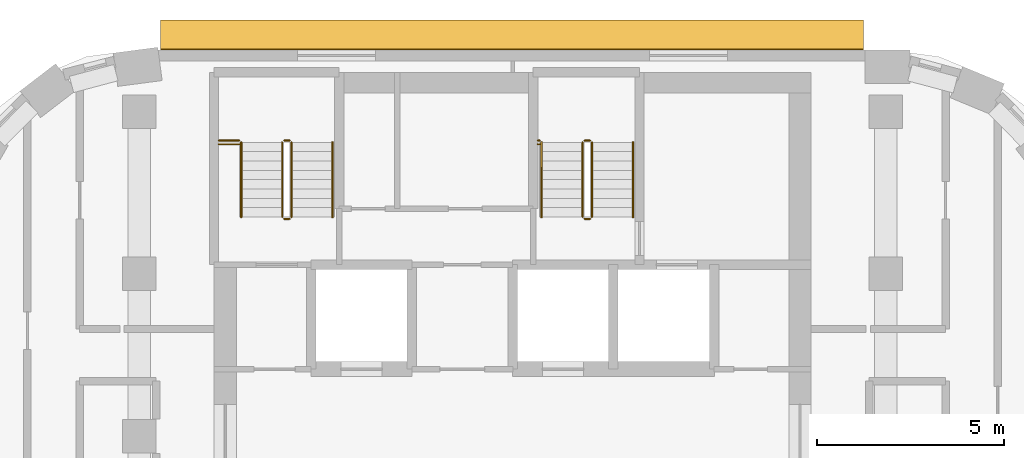
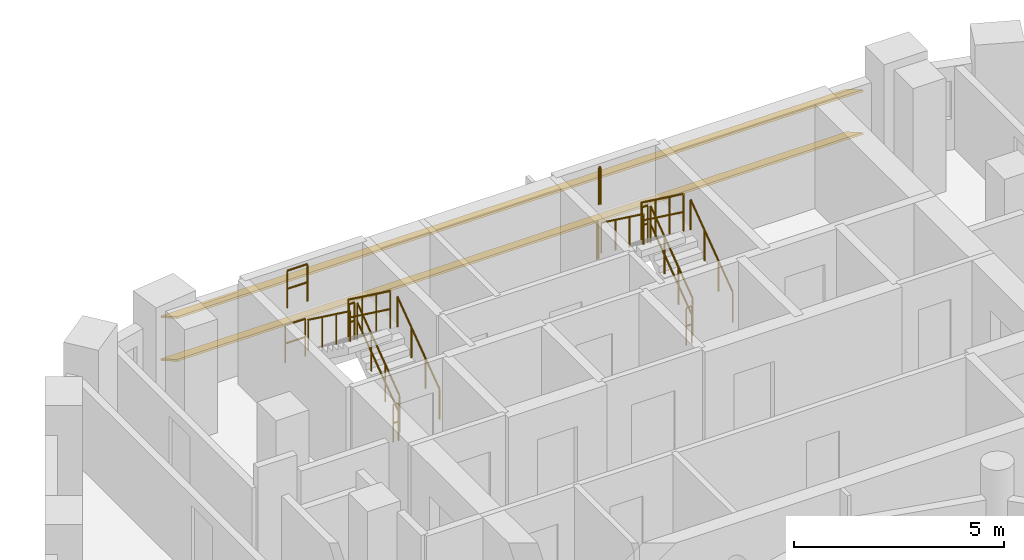
# One storey, part 15 of 15: 16 railings, 2 shading devices.
"""IFC4 building model written with IfcOpenShell, lengths in metres."""

from ifc_helpers import new_model, si_unit, direction, frame, origin, origin_2d, place, context, subcontext, project, spatial, rectangle, circle, extrude, material, material_profile, profile_set, type_object, element, save


model = new_model("IFC4")

# Units and contexts
model_context = context("Model", 3, precision=1e-05, world=origin(), true_north=direction((0.0, 1.0)))
body_context = subcontext(model_context, "Body", "Model", "MODEL_VIEW")
ifc_project = project(units=[si_unit("LENGTHUNIT", "METRE"), si_unit("AREAUNIT", "SQUARE_METRE"), si_unit("VOLUMEUNIT", "CUBIC_METRE"), si_unit("PLANEANGLEUNIT", "RADIAN"), si_unit("MASSUNIT", "GRAM", prefix="KILO")], contexts=[model_context])

# Site, building, storey
site_placement = place(None, origin())
site = spatial("IfcSite", under=ifc_project, at=site_placement, CompositionType="ELEMENT")
building_placement = place(site_placement, origin())
building = spatial("IfcBuilding", under=site, at=building_placement, Name="Nakaniwa Court", CompositionType="ELEMENT")
storey_placement = place(building_placement, frame((0.0, 0.0, 183.300048828125)))
storey = spatial("IfcBuildingStorey", under=building, at=storey_placement, Name="L47", CompositionType="ELEMENT", Elevation=183.300048828125)

# Shading devices
ifc_material_1 = material(Name="Perforated charcoal ceramic louvre blade")
ifc_material_profile = material_profile(ifc_material_1, rectangle(XDim=0.89990234375, YDim=0.050048828125, at=origin_2d()), Name="Perforated ceramic louvre blade")
ifc_profile_set = profile_set([ifc_material_profile], Name="Perforated charcoal ceramic louvre blade")
shading_device_type = type_object("IfcShadingDeviceType", Name="Perforated ceramic louvre blade", PredefinedType="JALOUSIE", material=ifc_profile_set)
for number, where, z_axis, x_axis, name in (
    (1, (89.3994140625, 103.05224609375, 0.550048828125), (-1.0, 0.0, 0.0), (0.0, -0.866025403784, 0.5), "L47 perforated ceramic louvre blade w08 1"),
    (2, (89.3994140625, 103.05224609375, 1.793212890625), (-1.0, 0.0, 0.0), (0.0, -0.866025403784, 0.5), "L47 perforated ceramic louvre blade w08 2"),
):
    element("IfcShadingDevice", number, at=place(storey_placement, frame(where, z_axis=z_axis, x_axis=x_axis)), inside=storey, type_object=shading_device_type, Name=name, PredefinedType="JALOUSIE", context=body_context, shape_type="SweptSolid", body=[
        extrude(rectangle(XDim=0.89990234375, YDim=0.050048828125, at=origin_2d()), origin(), (0.0, 0.0, 1.0), 18.8330078125),
    ])

# Railings
ifc_material_2 = material(Name="Black powder coated steel guard", Category="steel")
railing_type_1 = type_object("IfcRailingType", Name="Stair guard 1100", PredefinedType="GUARDRAIL", material=ifc_material_2)
railing_1_placement = place(storey_placement, frame((74.074951171875, 98.175048828125, 0.183349609375)))
element("IfcRailing", 3, at=railing_1_placement, inside=storey, type_object=railing_type_1, Name="L47 ST1 stair guard 1", PredefinedType="GUARDRAIL", context=body_context, shape_type="SweptSolid", body=[
    extrude(circle(Radius=0.02392578125, at=origin_2d()), frame((0.0, 0.0, 1.076171875), z_axis=(0.0, 0.806426902644, 0.591333789573), x_axis=(-1.0, 0.0, 0.0)), (0.0, 0.0, 1.0), 2.47998046875),
    extrude(circle(Radius=0.02392578125, at=origin_2d()), frame((0.0, 0.0, 0.550048828125), z_axis=(0.0, 0.806426902644, 0.591333789573), x_axis=(-1.0, 0.0, 0.0)), (0.0, 0.0, 1.0), 2.47998046875),
    extrude(circle(Radius=0.02099609375, at=origin_2d()), origin(), (0.0, 0.0, 1.0), 1.052001953125),
    extrude(circle(Radius=0.02099609375, at=origin_2d()), frame((0.0, 0.666748046875, 0.48876953125)), (0.0, 0.0, 1.0), 1.052001953125),
    extrude(circle(Radius=0.02099609375, at=origin_2d()), frame((0.0, 1.333251953125, 0.977783203125)), (0.0, 0.0, 1.0), 1.052001953125),
    extrude(circle(Radius=0.02099609375, at=origin_2d()), frame((0.0, 2.0, 1.466552734375)), (0.0, 0.0, 1.0), 1.052001953125),
])
railing_2_placement = place(storey_placement, frame((74.02490234375, 100.22509765625, 1.64990234375)))
element("IfcRailing", 4, at=railing_2_placement, inside=storey, type_object=railing_type_1, Name="L47 ST1 stair guard 2", PredefinedType="GUARDRAIL", context=body_context, shape_type="SweptSolid", body=[
    extrude(circle(Radius=0.02392578125, at=origin_2d()), frame((0.0, 0.0, 1.076171875), z_axis=(-1.0, 0.0, 0.0), x_axis=(0.0, -1.0, 0.0)), (0.0, 0.0, 1.0), 0.14990234375),
    extrude(circle(Radius=0.02392578125, at=origin_2d()), frame((0.0, 0.0, 0.550048828125), z_axis=(-1.0, 0.0, 0.0), x_axis=(0.0, -1.0, 0.0)), (0.0, 0.0, 1.0), 0.14990234375),
    extrude(circle(Radius=0.02099609375, at=origin_2d()), origin(), (0.0, 0.0, 1.0), 1.052001953125),
    extrude(circle(Radius=0.02099609375, at=origin_2d()), frame((-0.14990234375, 0.0, 0.0)), (0.0, 0.0, 1.0), 1.052001953125),
])
railing_3_placement = place(storey_placement, frame((73.824951171875, 100.175048828125, 1.833251953125)))
element("IfcRailing", 5, at=railing_3_placement, inside=storey, type_object=railing_type_1, Name="L47 ST1 stair guard 3", PredefinedType="GUARDRAIL", context=body_context, shape_type="SweptSolid", body=[
    extrude(circle(Radius=0.02392578125, at=origin_2d()), frame((0.0, 0.0, 1.076171875), z_axis=(0.0, -0.806379959628, 0.591397802423), x_axis=(1.0, 0.0, 0.0)), (0.0, 0.0, 1.0), 2.480224609375),
    extrude(circle(Radius=0.02392578125, at=origin_2d()), frame((0.0, 0.0, 0.550048828125), z_axis=(0.0, -0.806379959628, 0.591397802423), x_axis=(1.0, 0.0, 0.0)), (0.0, 0.0, 1.0), 2.480224609375),
    extrude(circle(Radius=0.02099609375, at=origin_2d()), origin(), (0.0, 0.0, 1.0), 1.052001953125),
    extrude(circle(Radius=0.02099609375, at=origin_2d()), frame((0.0, -0.666748046875, 0.489013671875)), (0.0, 0.0, 1.0), 1.052001953125),
    extrude(circle(Radius=0.02099609375, at=origin_2d()), frame((0.0, -1.333251953125, 0.977783203125)), (0.0, 0.0, 1.0), 1.052001953125),
    extrude(circle(Radius=0.02099609375, at=origin_2d()), frame((0.0, -2.0, 1.466796875)), (0.0, 0.0, 1.0), 1.052001953125),
])
railing_4_placement = place(storey_placement, frame((74.02490234375, 98.125, 0.0)))
element("IfcRailing", 6, at=railing_4_placement, inside=storey, type_object=railing_type_1, Name="L47 ST1 stair guard 4", PredefinedType="GUARDRAIL", context=body_context, shape_type="SweptSolid", body=[
    extrude(circle(Radius=0.02392578125, at=origin_2d()), frame((0.0, 0.0, 1.076171875), z_axis=(-1.0, 0.0, 0.0), x_axis=(0.0, -1.0, 0.0)), (0.0, 0.0, 1.0), 0.14990234375),
    extrude(circle(Radius=0.02392578125, at=origin_2d()), frame((0.0, 0.0, 0.550048828125), z_axis=(-1.0, 0.0, 0.0), x_axis=(0.0, -1.0, 0.0)), (0.0, 0.0, 1.0), 0.14990234375),
    extrude(circle(Radius=0.02099609375, at=origin_2d()), origin(), (0.0, 0.0, 1.0), 1.052001953125),
    extrude(circle(Radius=0.02099609375, at=origin_2d()), frame((-0.14990234375, 0.0, 0.0)), (0.0, 0.0, 1.0), 1.052001953125),
])
for number, where, name in (
    (7, (72.125, 100.22509765625, 1.64990234375), "L47 ST1 landing side guard 1W"),
    (8, (72.125, 100.125, 3.300048828125), "L47 ST1 floor edge guard 1W"),
):
    element("IfcRailing", number, at=place(storey_placement, frame(where)), inside=storey, type_object=railing_type_1, Name=name, PredefinedType="GUARDRAIL", context=body_context, shape_type="SweptSolid", body=[
        extrude(circle(Radius=0.02392578125, at=origin_2d()), frame((0.0, 0.0, 1.076171875), z_axis=(1.0, 0.0, 0.0), x_axis=(0.0, 1.0, 0.0)), (0.0, 0.0, 1.0), 0.550048828125),
        extrude(circle(Radius=0.02392578125, at=origin_2d()), frame((0.0, 0.0, 0.550048828125), z_axis=(1.0, 0.0, 0.0), x_axis=(0.0, 1.0, 0.0)), (0.0, 0.0, 1.0), 0.550048828125),
        extrude(circle(Radius=0.02099609375, at=origin_2d()), origin(), (0.0, 0.0, 1.0), 1.052001953125),
        extrude(circle(Radius=0.02099609375, at=origin_2d()), frame((0.550048828125, 0.0, 0.0)), (0.0, 0.0, 1.0), 1.052001953125),
    ])
railing_5_placement = place(storey_placement, frame((82.125, 98.175048828125, 0.183349609375)))
element("IfcRailing", 9, at=railing_5_placement, inside=storey, type_object=railing_type_1, Name="L47 ST2 stair guard 1", PredefinedType="GUARDRAIL", context=body_context, shape_type="SweptSolid", body=[
    extrude(circle(Radius=0.02392578125, at=origin_2d()), frame((0.0, 0.0, 1.076171875), z_axis=(0.0, 0.806426902644, 0.591333789573), x_axis=(-1.0, 0.0, 0.0)), (0.0, 0.0, 1.0), 2.47998046875),
    extrude(circle(Radius=0.02392578125, at=origin_2d()), frame((0.0, 0.0, 0.550048828125), z_axis=(0.0, 0.806426902644, 0.591333789573), x_axis=(-1.0, 0.0, 0.0)), (0.0, 0.0, 1.0), 2.47998046875),
    extrude(circle(Radius=0.02099609375, at=origin_2d()), origin(), (0.0, 0.0, 1.0), 1.052001953125),
    extrude(circle(Radius=0.02099609375, at=origin_2d()), frame((0.0, 0.666748046875, 0.48876953125)), (0.0, 0.0, 1.0), 1.052001953125),
    extrude(circle(Radius=0.02099609375, at=origin_2d()), frame((0.0, 1.333251953125, 0.977783203125)), (0.0, 0.0, 1.0), 1.052001953125),
    extrude(circle(Radius=0.02099609375, at=origin_2d()), frame((0.0, 2.0, 1.466552734375)), (0.0, 0.0, 1.0), 1.052001953125),
])
railing_6_placement = place(storey_placement, frame((82.074951171875, 100.22509765625, 1.64990234375)))
element("IfcRailing", 10, at=railing_6_placement, inside=storey, type_object=railing_type_1, Name="L47 ST2 stair guard 2", PredefinedType="GUARDRAIL", context=body_context, shape_type="SweptSolid", body=[
    extrude(circle(Radius=0.02392578125, at=origin_2d()), frame((0.0, 0.0, 1.076171875), z_axis=(-1.0, 0.0, 0.0), x_axis=(0.0, -1.0, 0.0)), (0.0, 0.0, 1.0), 0.14990234375),
    extrude(circle(Radius=0.02392578125, at=origin_2d()), frame((0.0, 0.0, 0.550048828125), z_axis=(-1.0, 0.0, 0.0), x_axis=(0.0, -1.0, 0.0)), (0.0, 0.0, 1.0), 0.14990234375),
    extrude(circle(Radius=0.02099609375, at=origin_2d()), origin(), (0.0, 0.0, 1.0), 1.052001953125),
    extrude(circle(Radius=0.02099609375, at=origin_2d()), frame((-0.14990234375, 0.0, 0.0)), (0.0, 0.0, 1.0), 1.052001953125),
])
railing_7_placement = place(storey_placement, frame((81.875, 100.175048828125, 1.833251953125)))
element("IfcRailing", 11, at=railing_7_placement, inside=storey, type_object=railing_type_1, Name="L47 ST2 stair guard 3", PredefinedType="GUARDRAIL", context=body_context, shape_type="SweptSolid", body=[
    extrude(circle(Radius=0.02392578125, at=origin_2d()), frame((0.0, 0.0, 1.076171875), z_axis=(0.0, -0.806379959628, 0.591397802423), x_axis=(1.0, 0.0, 0.0)), (0.0, 0.0, 1.0), 2.480224609375),
    extrude(circle(Radius=0.02392578125, at=origin_2d()), frame((0.0, 0.0, 0.550048828125), z_axis=(0.0, -0.806379959628, 0.591397802423), x_axis=(1.0, 0.0, 0.0)), (0.0, 0.0, 1.0), 2.480224609375),
    extrude(circle(Radius=0.02099609375, at=origin_2d()), origin(), (0.0, 0.0, 1.0), 1.052001953125),
    extrude(circle(Radius=0.02099609375, at=origin_2d()), frame((0.0, -0.666748046875, 0.489013671875)), (0.0, 0.0, 1.0), 1.052001953125),
    extrude(circle(Radius=0.02099609375, at=origin_2d()), frame((0.0, -1.333251953125, 0.977783203125)), (0.0, 0.0, 1.0), 1.052001953125),
    extrude(circle(Radius=0.02099609375, at=origin_2d()), frame((0.0, -2.0, 1.466796875)), (0.0, 0.0, 1.0), 1.052001953125),
])
railing_8_placement = place(storey_placement, frame((82.074951171875, 98.125, 0.0)))
element("IfcRailing", 12, at=railing_8_placement, inside=storey, type_object=railing_type_1, Name="L47 ST2 stair guard 4", PredefinedType="GUARDRAIL", context=body_context, shape_type="SweptSolid", body=[
    extrude(circle(Radius=0.02392578125, at=origin_2d()), frame((0.0, 0.0, 1.076171875), z_axis=(-1.0, 0.0, 0.0), x_axis=(0.0, -1.0, 0.0)), (0.0, 0.0, 1.0), 0.14990234375),
    extrude(circle(Radius=0.02392578125, at=origin_2d()), frame((0.0, 0.0, 0.550048828125), z_axis=(-1.0, 0.0, 0.0), x_axis=(0.0, -1.0, 0.0)), (0.0, 0.0, 1.0), 0.14990234375),
    extrude(circle(Radius=0.02099609375, at=origin_2d()), origin(), (0.0, 0.0, 1.0), 1.052001953125),
    extrude(circle(Radius=0.02099609375, at=origin_2d()), frame((-0.14990234375, 0.0, 0.0)), (0.0, 0.0, 1.0), 1.052001953125),
])
for number, where, name in (
    (13, (80.675048828125, 100.22509765625, 1.64990234375), "L47 ST2 landing side guard 1W"),
    (14, (80.675048828125, 100.125, 3.300048828125), "L47 ST2 floor edge guard 1W"),
):
    element("IfcRailing", number, at=place(storey_placement, frame(where)), inside=storey, type_object=railing_type_1, Name=name, PredefinedType="GUARDRAIL", context=body_context, shape_type="SweptSolid", body=[
        extrude(circle(Radius=0.02392578125, at=origin_2d()), frame((0.0, 0.0, 1.076171875), z_axis=(1.0, 0.0, 0.0), x_axis=(0.0, 1.0, 0.0)), (0.0, 0.0, 1.0), 0.050048828125),
        extrude(circle(Radius=0.02392578125, at=origin_2d()), frame((0.0, 0.0, 0.550048828125), z_axis=(1.0, 0.0, 0.0), x_axis=(0.0, 1.0, 0.0)), (0.0, 0.0, 1.0), 0.050048828125),
        extrude(circle(Radius=0.02099609375, at=origin_2d()), origin(), (0.0, 0.0, 1.0), 1.052001953125),
        extrude(circle(Radius=0.02099609375, at=origin_2d()), frame((0.050048828125, 0.0, 0.0)), (0.0, 0.0, 1.0), 1.052001953125),
    ])
ifc_material_3 = material(Name="Black powder coated steel handrail", Category="steel")
railing_type_2 = type_object("IfcRailingType", Name="Stair handrail 900", PredefinedType="HANDRAIL", material=ifc_material_3)
railing_9_placement = place(storey_placement, frame((75.175048828125, 98.175048828125, 0.183349609375)))
element("IfcRailing", 15, at=railing_9_placement, inside=storey, type_object=railing_type_2, Name="L47 ST1 stair handrail 1", PredefinedType="HANDRAIL", context=body_context, shape_type="SweptSolid", body=[
    extrude(circle(Radius=0.02392578125, at=origin_2d()), frame((0.0, 0.0, 0.8759765625), z_axis=(0.0, 0.806426902644, 0.591333789573), x_axis=(-1.0, 0.0, 0.0)), (0.0, 0.0, 1.0), 2.47998046875),
    extrude(circle(Radius=0.02099609375, at=origin_2d()), origin(), (0.0, 0.0, 1.0), 0.851806640625),
    extrude(circle(Radius=0.02099609375, at=origin_2d()), frame((0.0, 0.666748046875, 0.48876953125)), (0.0, 0.0, 1.0), 0.851806640625),
    extrude(circle(Radius=0.02099609375, at=origin_2d()), frame((0.0, 1.333251953125, 0.977783203125)), (0.0, 0.0, 1.0), 0.851806640625),
    extrude(circle(Radius=0.02099609375, at=origin_2d()), frame((0.0, 2.0, 1.466552734375)), (0.0, 0.0, 1.0), 0.851806640625),
])
railing_10_placement = place(storey_placement, frame((72.72509765625, 100.175048828125, 1.833251953125)))
element("IfcRailing", 16, at=railing_10_placement, inside=storey, type_object=railing_type_2, Name="L47 ST1 stair handrail 2", PredefinedType="HANDRAIL", context=body_context, shape_type="SweptSolid", body=[
    extrude(circle(Radius=0.02392578125, at=origin_2d()), frame((0.0, 0.0, 0.8759765625), z_axis=(0.0, -0.806379959628, 0.591397802423), x_axis=(1.0, 0.0, 0.0)), (0.0, 0.0, 1.0), 2.480224609375),
    extrude(circle(Radius=0.02099609375, at=origin_2d()), origin(), (0.0, 0.0, 1.0), 0.851806640625),
    extrude(circle(Radius=0.02099609375, at=origin_2d()), frame((0.0, -0.666748046875, 0.489013671875)), (0.0, 0.0, 1.0), 0.851806640625),
    extrude(circle(Radius=0.02099609375, at=origin_2d()), frame((0.0, -1.333251953125, 0.977783203125)), (0.0, 0.0, 1.0), 0.851806640625),
    extrude(circle(Radius=0.02099609375, at=origin_2d()), frame((0.0, -2.0, 1.466796875)), (0.0, 0.0, 1.0), 0.851806640625),
])
railing_11_placement = place(storey_placement, frame((83.22509765625, 98.175048828125, 0.183349609375)))
element("IfcRailing", 17, at=railing_11_placement, inside=storey, type_object=railing_type_2, Name="L47 ST2 stair handrail 1", PredefinedType="HANDRAIL", context=body_context, shape_type="SweptSolid", body=[
    extrude(circle(Radius=0.02392578125, at=origin_2d()), frame((0.0, 0.0, 0.8759765625), z_axis=(0.0, 0.806426902644, 0.591333789573), x_axis=(-1.0, 0.0, 0.0)), (0.0, 0.0, 1.0), 2.47998046875),
    extrude(circle(Radius=0.02099609375, at=origin_2d()), origin(), (0.0, 0.0, 1.0), 0.851806640625),
    extrude(circle(Radius=0.02099609375, at=origin_2d()), frame((0.0, 0.666748046875, 0.48876953125)), (0.0, 0.0, 1.0), 0.851806640625),
    extrude(circle(Radius=0.02099609375, at=origin_2d()), frame((0.0, 1.333251953125, 0.977783203125)), (0.0, 0.0, 1.0), 0.851806640625),
    extrude(circle(Radius=0.02099609375, at=origin_2d()), frame((0.0, 2.0, 1.466552734375)), (0.0, 0.0, 1.0), 0.851806640625),
])
railing_12_placement = place(storey_placement, frame((80.77490234375, 100.175048828125, 1.833251953125)))
element("IfcRailing", 18, at=railing_12_placement, inside=storey, type_object=railing_type_2, Name="L47 ST2 stair handrail 2", PredefinedType="HANDRAIL", context=body_context, shape_type="SweptSolid", body=[
    extrude(circle(Radius=0.02392578125, at=origin_2d()), frame((0.0, 0.0, 0.8759765625), z_axis=(0.0, -0.806379959628, 0.591397802423), x_axis=(1.0, 0.0, 0.0)), (0.0, 0.0, 1.0), 2.480224609375),
    extrude(circle(Radius=0.02099609375, at=origin_2d()), origin(), (0.0, 0.0, 1.0), 0.851806640625),
    extrude(circle(Radius=0.02099609375, at=origin_2d()), frame((0.0, -0.666748046875, 0.489013671875)), (0.0, 0.0, 1.0), 0.851806640625),
    extrude(circle(Radius=0.02099609375, at=origin_2d()), frame((0.0, -1.333251953125, 0.977783203125)), (0.0, 0.0, 1.0), 0.851806640625),
    extrude(circle(Radius=0.02099609375, at=origin_2d()), frame((0.0, -2.0, 1.466796875)), (0.0, 0.0, 1.0), 0.851806640625),
])

save(model, "model.ifc")
